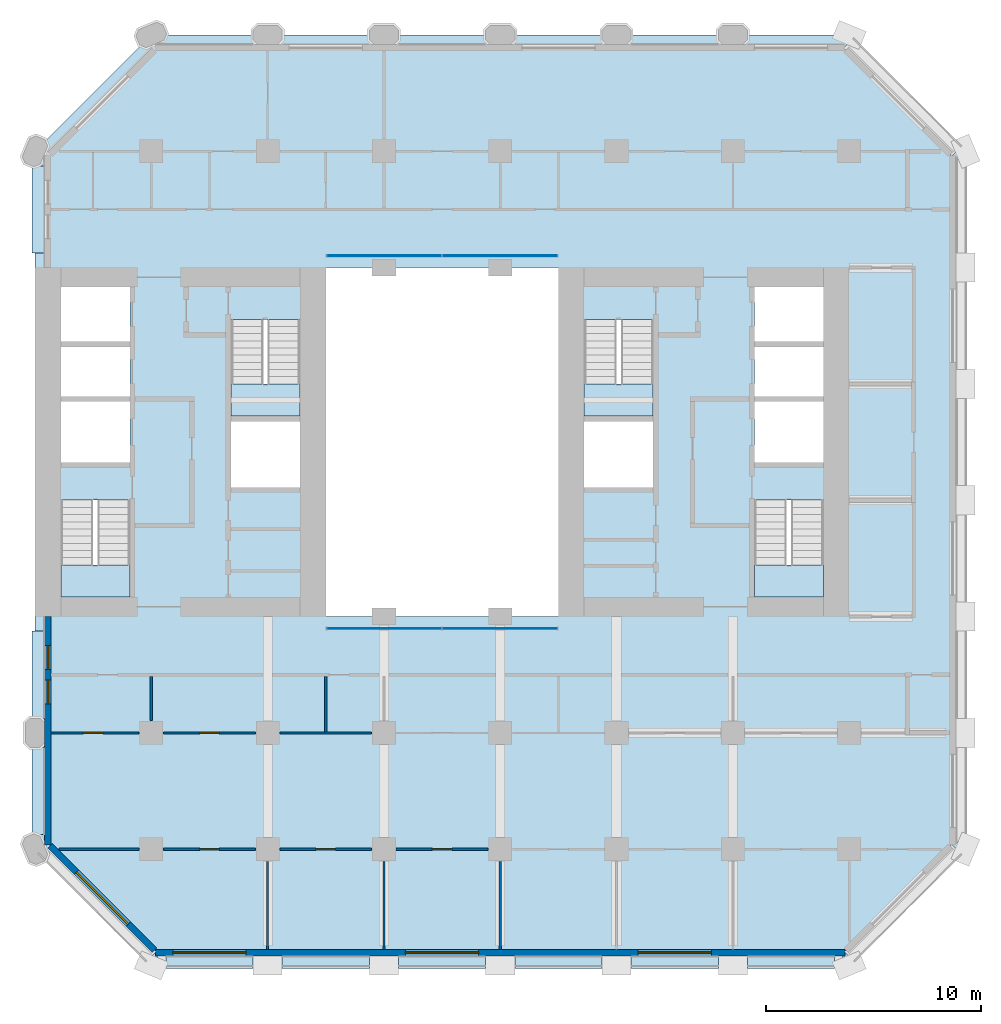
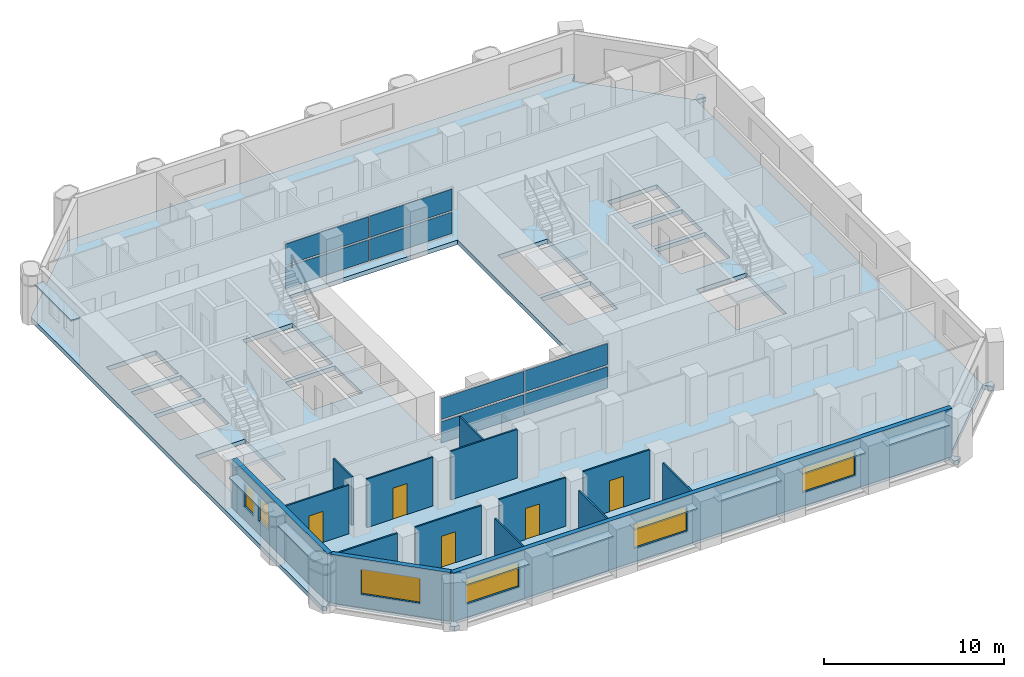
# One storey, part 7 of 13: 17 plates, 15 walls, 6 windows, 5 doors, 5 slabs, 11 openings, 6 elements without a shape of their own.
"""IFC4 building model written with IfcOpenShell, lengths in metres."""

import ifcopenshell
import ifcopenshell.guid

model = None  # the IFC model being written
_history = None  # IfcOwnerHistory: only IFC2X3 demands one
_inside = {}  # id of a spatial element -> (the spatial element, [elements in it])
_under = {}  # id of a project, library or spatial element -> (it, [spatial elements below it])
_declared = {}  # id of a project -> (the project, [libraries it declares])
_typed = {}  # id of a type object -> (the type object, [elements of that type])
_made_of = {}  # id of a material, layer set ... -> (it, [elements and type objects made of it])


def new_model(schema):
    """Start an empty IFC model of exactly this schema.

    Asked for "IFC4X3", IfcOpenShell would pick the latest addendum, in which some entities
    have other attributes; the version numbers below select the first issue.
    IFC2X3 requires an IfcOwnerHistory on every rooted entity: one is made here for all.
    """
    global model, _history
    if schema == "IFC4X3":
        model = ifcopenshell.file(schema_version=(4, 3, 0, 0))
    else:
        model = ifcopenshell.file(schema=schema)
    _inside.clear()
    _under.clear()
    _declared.clear()
    _typed.clear()
    _made_of.clear()
    _history = None
    if model.schema == "IFC2X3":
        org = make("IfcOrganization", Name="unknown")
        user = make(
            "IfcPersonAndOrganization",
            ThePerson=make("IfcPerson", FamilyName="unknown"),
            TheOrganization=org,
        )
        app = make(
            "IfcApplication",
            ApplicationDeveloper=org,
            Version="unknown",
            ApplicationFullName="unknown",
            ApplicationIdentifier="unknown",
        )
        _history = make(
            "IfcOwnerHistory",
            OwningUser=user,
            OwningApplication=app,
            ChangeAction="ADDED",
            CreationDate=0,
        )
    return model


def make(cls, **values):
    """One entity of the class cls with the attributes given. An attribute that is None is left unset."""
    return model.create_entity(
        cls, **{name: value for name, value in values.items() if value is not None}
    )


def rooted(cls, **values):
    """An entity with a GlobalId (a new one), such as an element, a storey or a relation."""
    return make(cls, GlobalId=ifcopenshell.guid.new(), OwnerHistory=_history, **values)


def si_unit(unit_type, name, prefix=None):
    """IfcSIUnit, for example si_unit("LENGTHUNIT", "METRE", prefix="MILLI")."""
    return make("IfcSIUnit", UnitType=unit_type, Prefix=prefix, Name=name)


def assignment(units):
    """IfcUnitAssignment: the units of a project."""
    return None if units is None else make("IfcUnitAssignment", Units=units)


def point(xyz):
    """IfcCartesianPoint."""
    return None if xyz is None else make("IfcCartesianPoint", Coordinates=xyz)


def direction(xyz):
    """IfcDirection."""
    return None if xyz is None else make("IfcDirection", DirectionRatios=xyz)


def frame(location, z_axis=None, x_axis=None):
    """IfcAxis2Placement3D, a coordinate frame: its origin and axes. An axis left out is left unset."""
    return make(
        "IfcAxis2Placement3D",
        Location=point(location),
        Axis=direction(z_axis),
        RefDirection=direction(x_axis),
    )


def frame_2d(location, x_axis=None):
    """IfcAxis2Placement2D, a coordinate frame in the plane: its origin and x axis."""
    return make(
        "IfcAxis2Placement2D", Location=point(location), RefDirection=direction(x_axis)
    )


def origin():
    """The frame at (0, 0, 0) with its axes left unset."""
    return frame((0.0, 0.0, 0.0))


def origin_2d():
    """The frame at (0, 0) in the plane with its x axis left unset."""
    return frame_2d((0.0, 0.0))


def place(relative_to, where):
    """IfcLocalPlacement: puts the frame where relative to a parent placement (None: the world)."""
    return make(
        "IfcLocalPlacement", PlacementRelTo=relative_to, RelativePlacement=where
    )


def context(
    kind, dimensions, precision=None, world=None, true_north=None, identifier=None
):
    """IfcGeometricRepresentationContext, for example the 3D "Model" context."""
    return make(
        "IfcGeometricRepresentationContext",
        ContextIdentifier=identifier,
        ContextType=kind,
        CoordinateSpaceDimension=dimensions,
        Precision=precision,
        WorldCoordinateSystem=world,
        TrueNorth=true_north,
    )


def subcontext(parent, identifier, kind, view, scale=None):
    """IfcGeometricRepresentationSubContext, for example "Body" below "Model"."""
    return make(
        "IfcGeometricRepresentationSubContext",
        ContextIdentifier=identifier,
        ContextType=kind,
        ParentContext=parent,
        TargetScale=scale,
        TargetView=view,
    )


def project(units=None, contexts=None):
    """IfcProject with its units and contexts."""
    return rooted(
        "IfcProject",
        Name="project",
        RepresentationContexts=contexts,
        UnitsInContext=assignment(units),
    )


def spatial(cls, under=None, at=None, **own):
    """A site, building, storey or space (cls), placed at a placement, below another one or the project."""
    s = rooted(cls, ObjectPlacement=at, **own)
    if under is not None:
        _under.setdefault(under.id(), (under, []))[1].append(s)
    return s


def polyline(points):
    """IfcPolyline through the points."""
    return make("IfcPolyline", Points=[point(p) for p in points])


def profile(cls, at=None, kind="AREA", **sizes):
    """A parametric profile (cls). Its sizes go by their IFC names, for example OverallWidth=200.0."""
    return make(cls, ProfileType=kind, Position=at, **sizes)


def rectangle(**sizes):
    """IfcRectangleProfileDef."""
    return profile("IfcRectangleProfileDef", **sizes)


def outline(outer, holes=None, kind="AREA"):
    """IfcArbitraryClosedProfileDef: a profile drawn as a closed curve; with holes, ...WithVoids."""
    if holes is None:
        return make("IfcArbitraryClosedProfileDef", ProfileType=kind, OuterCurve=outer)
    return make(
        "IfcArbitraryProfileDefWithVoids",
        ProfileType=kind,
        OuterCurve=outer,
        InnerCurves=holes,
    )


def extrude(swept, where, along, depth):
    """IfcExtrudedAreaSolid: the profile swept, set in the frame where, extruded along a direction by depth."""
    return make(
        "IfcExtrudedAreaSolid",
        SweptArea=swept,
        Position=where,
        ExtrudedDirection=direction(along),
        Depth=depth,
    )


def shape(context_of_items, identifier, shape_type, items):
    """IfcShapeRepresentation: the items that make up one representation, for example the "Body"."""
    return make(
        "IfcShapeRepresentation",
        ContextOfItems=context_of_items,
        RepresentationIdentifier=identifier,
        RepresentationType=shape_type,
        Items=items,
    )


def material(Name=None, Category=None):
    """IfcMaterial."""
    return make("IfcMaterial", Name=Name, Category=Category)


def layer(
    of_material, thickness, ventilated=None, Name=None, Category=None, Priority=None
):
    """IfcMaterialLayer: one layer of a wall or slab, of a material (None: an air gap)."""
    return make(
        "IfcMaterialLayer",
        Material=of_material,
        LayerThickness=thickness,
        IsVentilated=ventilated,
        Name=Name,
        Category=Category,
        Priority=Priority,
    )


def layer_set(layers, Name=None):
    """IfcMaterialLayerSet."""
    return make("IfcMaterialLayerSet", MaterialLayers=layers, LayerSetName=Name)


def made_of(thing, what):
    """Note that an element or type object is made of a material, layer set ...; save() writes the relation."""
    if what is not None:
        _made_of.setdefault(what.id(), (what, []))[1].append(thing)
    return thing


def type_object(cls, material=None, **own):
    """A type object (cls), such as IfcWallType, which elements share."""
    return made_of(rooted(cls, **own), material)


def element(
    cls,
    number,
    at=None,
    inside=None,
    cuts=None,
    type_object=None,
    material=None,
    context=None,
    identifier="Body",
    shape_type=None,
    held_by="IfcProductDefinitionShape",
    body=None,
    shapes=None,
    **own,
):
    """One element of the class cls, such as IfcWall. Its Tag is "e" and its number.

    at: its placement. inside: the storey or other place that contains it. cuts: it is an
    opening in that element (IfcRelVoidsElement). A single representation is given by context,
    identifier, shape_type and body (its items); several are given by shapes. held_by: the class
    of the entity that holds the representations. save() writes the other relations.
    """
    e = rooted(cls, Tag="e%d" % number, ObjectPlacement=at, **own)
    if body is not None:
        shapes = [shape(context, identifier, shape_type, body)]
    if shapes is not None:
        e.Representation = make(held_by, Representations=shapes)
    if inside is not None:
        _inside.setdefault(inside.id(), (inside, []))[1].append(e)
    if cuts is not None:
        rooted(
            "IfcRelVoidsElement", RelatingBuildingElement=cuts, RelatedOpeningElement=e
        )
    if type_object is not None:
        _typed.setdefault(type_object.id(), (type_object, []))[1].append(e)
    return made_of(e, material)


def fill(opening, filler):
    """IfcRelFillsElement: the door or window that sits in an opening."""
    return rooted(
        "IfcRelFillsElement",
        RelatingOpeningElement=opening,
        RelatedBuildingElement=filler,
    )


def aggregate(whole, parts):
    """IfcRelAggregates: a whole, such as a stair, and the parts it consists of."""
    return rooted("IfcRelAggregates", RelatingObject=whole, RelatedObjects=parts)


def save(model, path):
    """Write the relations noted so far, then the file.

    IfcRelAggregates (storeys below a building ...), IfcRelContainedInSpatialStructure (elements
    in a storey), IfcRelDefinesByType, IfcRelAssociatesMaterial and IfcRelDeclares: one each for
    every whole, place, type object, material and project.
    """
    for whole, parts in _under.values():
        aggregate(whole, parts)
    for where, things in _inside.values():
        rooted(
            "IfcRelContainedInSpatialStructure",
            RelatedElements=things,
            RelatingStructure=where,
        )
    for kind, things in _typed.values():
        rooted("IfcRelDefinesByType", RelatedObjects=things, RelatingType=kind)
    for what, things in _made_of.values():
        rooted("IfcRelAssociatesMaterial", RelatedObjects=things, RelatingMaterial=what)
    for by, libraries in _declared.values():
        rooted("IfcRelDeclares", RelatingContext=by, RelatedDefinitions=libraries)
    model.write(path)


model = new_model("IFC4")

# Units and contexts
model_context = context("Model", 3, precision=1e-05, world=origin(), true_north=direction((0.0, 1.0)))
body_context = subcontext(model_context, "Body", "Model", "MODEL_VIEW")
ifc_project = project(units=[si_unit("LENGTHUNIT", "METRE"), si_unit("AREAUNIT", "SQUARE_METRE"), si_unit("VOLUMEUNIT", "CUBIC_METRE"), si_unit("PLANEANGLEUNIT", "RADIAN"), si_unit("MASSUNIT", "GRAM", prefix="KILO")], contexts=[model_context])

# Site, building, storey
site_placement = place(None, origin())
site = spatial("IfcSite", under=ifc_project, at=site_placement, CompositionType="ELEMENT")
building_placement = place(site_placement, origin())
building = spatial("IfcBuilding", under=site, at=building_placement, Name="Tabaq Tower and Sports Hall", CompositionType="ELEMENT")
storey_placement = place(building_placement, frame((0.0, 0.0, 56.39990234375)))
storey = spatial("IfcBuildingStorey", under=building, at=storey_placement, Name="L12", CompositionType="ELEMENT", Elevation=56.39990234375)

# Curtain wall, plates
ifc_material_1 = material(Name="Aluminium alloy 6063-T6 framed glazing", Category="aluminium")
curtain_wall_type = type_object("IfcCurtainWallType", Name="CW1 curtain wall", PredefinedType="USERDEFINED", material=ifc_material_1)
curtain_wall_1_placement = place(storey_placement, origin())
curtain_wall_1 = element("IfcCurtainWall", 1, at=curtain_wall_1_placement, inside=storey, type_object=curtain_wall_type, Name="Atrium glazing L12 S", ObjectType="ATRIUM ENCLOSURE", PredefinedType="USERDEFINED")
ifc_material_2 = material(Name="Clear low-emissivity glass 28 mm", Category="glass")
ifc_layer_1 = layer(ifc_material_2, 0.028076171875)
ifc_layer_set_1 = layer_set([ifc_layer_1], Name="CW1 glass panel 28")
plate_type_1 = type_object("IfcPlateType", Name="CW1 glass panel 28", PredefinedType="CURTAIN_PANEL", material=ifc_layer_set_1)
plate_1_placement = place(storey_placement, frame((21.614990234375, 15.64990234375, 0.14013671875), z_axis=(0.0, 0.0, 1.0), x_axis=(1.0, 0.0, 0.0)))
plate_1 = element("IfcPlate", 2, at=plate_1_placement, type_object=plate_type_1, Name="CW1 panel 1.1", PredefinedType="CURTAIN_PANEL", context=body_context, shape_type="SweptSolid", body=[
    extrude(rectangle(XDim=5.31005859375, YDim=0.028076171875, at=origin_2d()), origin(), (0.0, 0.0, 1.0), 1.43994140625),
])
plate_2_placement = place(storey_placement, frame((21.614990234375, 15.64990234375, 1.72021484375), z_axis=(0.0, 0.0, 1.0), x_axis=(1.0, 0.0, 0.0)))
plate_2 = element("IfcPlate", 3, at=plate_2_placement, type_object=plate_type_1, Name="CW1 panel 1.2", PredefinedType="CURTAIN_PANEL", context=body_context, shape_type="SweptSolid", body=[
    extrude(rectangle(XDim=5.31005859375, YDim=0.028076171875, at=origin_2d()), origin(), (0.0, 0.0, 1.0), 1.43994140625),
])
plate_3_placement = place(storey_placement, frame((26.985107421875, 15.64990234375, 0.14013671875), z_axis=(0.0, 0.0, 1.0), x_axis=(1.0, 0.0, 0.0)))
plate_3 = element("IfcPlate", 4, at=plate_3_placement, type_object=plate_type_1, Name="CW1 panel 2.1", PredefinedType="CURTAIN_PANEL", context=body_context, shape_type="SweptSolid", body=[
    extrude(rectangle(XDim=5.31005859375, YDim=0.028076171875, at=origin_2d()), origin(), (0.0, 0.0, 1.0), 1.43994140625),
])
plate_4_placement = place(storey_placement, frame((26.985107421875, 15.64990234375, 1.72021484375), z_axis=(0.0, 0.0, 1.0), x_axis=(1.0, 0.0, 0.0)))
plate_4 = element("IfcPlate", 5, at=plate_4_placement, type_object=plate_type_1, Name="CW1 panel 2.2", PredefinedType="CURTAIN_PANEL", context=body_context, shape_type="SweptSolid", body=[
    extrude(rectangle(XDim=5.31005859375, YDim=0.028076171875, at=origin_2d()), origin(), (0.0, 0.0, 1.0), 1.43994140625),
])
aggregate(curtain_wall_1, [plate_1, plate_2, plate_3, plate_4])

curtain_wall_2_placement = place(storey_placement, origin())
curtain_wall_2 = element("IfcCurtainWall", 6, at=curtain_wall_2_placement, inside=storey, type_object=curtain_wall_type, Name="Atrium glazing L12 N", ObjectType="ATRIUM ENCLOSURE", PredefinedType="USERDEFINED")
plate_5_placement = place(storey_placement, frame((21.614990234375, 32.949951171875, 0.14013671875), z_axis=(0.0, 0.0, 1.0), x_axis=(1.0, 0.0, 0.0)))
plate_5 = element("IfcPlate", 7, at=plate_5_placement, type_object=plate_type_1, Name="CW1 panel 1.1", PredefinedType="CURTAIN_PANEL", context=body_context, shape_type="SweptSolid", body=[
    extrude(rectangle(XDim=5.31005859375, YDim=0.028076171875, at=origin_2d()), origin(), (0.0, 0.0, 1.0), 1.43994140625),
])
plate_6_placement = place(storey_placement, frame((21.614990234375, 32.949951171875, 1.72021484375), z_axis=(0.0, 0.0, 1.0), x_axis=(1.0, 0.0, 0.0)))
plate_6 = element("IfcPlate", 8, at=plate_6_placement, type_object=plate_type_1, Name="CW1 panel 1.2", PredefinedType="CURTAIN_PANEL", context=body_context, shape_type="SweptSolid", body=[
    extrude(rectangle(XDim=5.31005859375, YDim=0.028076171875, at=origin_2d()), origin(), (0.0, 0.0, 1.0), 1.43994140625),
])
plate_7_placement = place(storey_placement, frame((26.985107421875, 32.949951171875, 0.14013671875), z_axis=(0.0, 0.0, 1.0), x_axis=(1.0, 0.0, 0.0)))
plate_7 = element("IfcPlate", 9, at=plate_7_placement, type_object=plate_type_1, Name="CW1 panel 2.1", PredefinedType="CURTAIN_PANEL", context=body_context, shape_type="SweptSolid", body=[
    extrude(rectangle(XDim=5.31005859375, YDim=0.028076171875, at=origin_2d()), origin(), (0.0, 0.0, 1.0), 1.43994140625),
])
plate_8_placement = place(storey_placement, frame((26.985107421875, 32.949951171875, 1.72021484375), z_axis=(0.0, 0.0, 1.0), x_axis=(1.0, 0.0, 0.0)))
plate_8 = element("IfcPlate", 10, at=plate_8_placement, type_object=plate_type_1, Name="CW1 panel 2.2", PredefinedType="CURTAIN_PANEL", context=body_context, shape_type="SweptSolid", body=[
    extrude(rectangle(XDim=5.31005859375, YDim=0.028076171875, at=origin_2d()), origin(), (0.0, 0.0, 1.0), 1.43994140625),
])
aggregate(curtain_wall_2, [plate_5, plate_6, plate_7, plate_8])

# Stair, slab
ifc_material_3 = material(Name="Concrete C40/50", Category="concrete")
stair_type = type_object("IfcStairType", Name="Exit stair", PredefinedType="HALF_TURN_STAIR", material=ifc_material_3)
stair_1_placement = place(storey_placement, origin())
stair_1 = element("IfcStair", 11, at=stair_1_placement, inside=storey, type_object=stair_type, Name="L12 Exit stair ST1", PredefinedType="HALF_TURN_STAIR")
ifc_material_4 = material(Name="Concrete C40/50", Category="concrete")
ifc_layer_2 = layer(ifc_material_4, 0.199951171875)
ifc_layer_set_2 = layer_set([ifc_layer_2], Name="Exit stair landing")
slab_type_1 = type_object("IfcSlabType", Name="Exit stair landing", PredefinedType="LANDING", material=ifc_layer_set_2)
slab_1_placement = place(storey_placement, frame((0.0, 0.0, 1.7001953125)))
slab_1 = element("IfcSlab", 12, at=slab_1_placement, type_object=slab_type_1, Name="ST1 landing 1", PredefinedType="LANDING", context=body_context, shape_type="SweptSolid", body=[
    extrude(outline(polyline([(6.60009765625, 18.60009765625), (6.60009765625, 17.10009765625), (9.800048828125, 17.10009765625), (9.800048828125, 18.60009765625), (6.60009765625, 18.60009765625)])), origin(), (0.0, 0.0, 1.0), 0.199951171875),
])
aggregate(stair_1, [slab_1])

stair_2_placement = place(storey_placement, origin())
stair_2 = element("IfcStair", 13, at=stair_2_placement, inside=storey, type_object=stair_type, Name="L12 Exit stair ST2", PredefinedType="HALF_TURN_STAIR")
slab_2_placement = place(storey_placement, frame((0.0, 0.0, 1.7001953125)))
slab_2 = element("IfcSlab", 14, at=slab_2_placement, type_object=slab_type_1, Name="ST2 landing 1", PredefinedType="LANDING", context=body_context, shape_type="SweptSolid", body=[
    extrude(outline(polyline([(14.5, 27.0), (14.5, 25.5), (17.699951171875, 25.5), (17.699951171875, 27.0), (14.5, 27.0)])), origin(), (0.0, 0.0, 1.0), 0.199951171875),
])
aggregate(stair_2, [slab_2])

stair_3_placement = place(storey_placement, origin())
stair_3 = element("IfcStair", 15, at=stair_3_placement, inside=storey, type_object=stair_type, Name="L12 Exit stair ST3", PredefinedType="HALF_TURN_STAIR")
slab_3_placement = place(storey_placement, frame((0.0, 0.0, 1.7001953125)))
slab_3 = element("IfcSlab", 16, at=slab_3_placement, type_object=slab_type_1, Name="ST3 landing 1", PredefinedType="LANDING", context=body_context, shape_type="SweptSolid", body=[
    extrude(outline(polyline([(38.800048828125, 18.60009765625), (38.800048828125, 17.10009765625), (42.0, 17.10009765625), (42.0, 18.60009765625), (38.800048828125, 18.60009765625)])), origin(), (0.0, 0.0, 1.0), 0.199951171875),
])
aggregate(stair_3, [slab_3])

stair_4_placement = place(storey_placement, origin())
stair_4 = element("IfcStair", 17, at=stair_4_placement, inside=storey, type_object=stair_type, Name="L12 Exit stair ST4", PredefinedType="HALF_TURN_STAIR")
slab_4_placement = place(storey_placement, frame((0.0, 0.0, 1.7001953125)))
slab_4 = element("IfcSlab", 18, at=slab_4_placement, type_object=slab_type_1, Name="ST4 landing 1", PredefinedType="LANDING", context=body_context, shape_type="SweptSolid", body=[
    extrude(outline(polyline([(30.89990234375, 27.0), (30.89990234375, 25.5), (34.10009765625, 25.5), (34.10009765625, 27.0), (30.89990234375, 27.0)])), origin(), (0.0, 0.0, 1.0), 0.199951171875),
])
aggregate(stair_4, [slab_4])

# Slab
ifc_material_5 = material(Name="Concrete C40/50", Category="concrete")
ifc_layer_3 = layer(ifc_material_5, 0.300048828125)
ifc_layer_set_3 = layer_set([ifc_layer_3], Name="PT FLOOR SLAB 300 C40/50")
slab_type_2 = type_object("IfcSlabType", Name="PT FLOOR SLAB 300 C40/50", PredefinedType="FLOOR", material=ifc_layer_set_3)
slab_5_placement = place(storey_placement, frame((0.0, 0.0, -0.2998046875)))
element("IfcSlab", 19, at=slab_5_placement, inside=storey, type_object=slab_type_2, Name="Floor Slab L12", PredefinedType="FLOOR", context=body_context, shape_type="SweptSolid", body=[
    extrude(outline(polyline([(5.39990234375, 37.800048828125), (5.39990234375, 5.39990234375), (5.57666015625, 5.22314453125), (5.930419921875, 5.57666015625), (6.0009765625, 5.6474609375), (11.01318359375, 0.63525390625), (10.5888671875, 0.211181640625), (10.800048828125, 0.0), (11.0986328125, 0.0), (11.0986328125, 0.5), (11.0986328125, 0.60009765625), (42.9013671875, 0.60009765625), (42.9013671875, 0.5), (42.9013671875, 0.0), (43.199951171875, 0.0), (43.4111328125, 0.211181640625), (42.98681640625, 0.63525390625), (47.964599609375, 5.61328125), (48.035400390625, 5.54248046875), (48.388916015625, 5.18896484375), (48.60009765625, 5.39990234375), (48.60009765625, 5.698486328125), (48.10009765625, 5.698486328125), (48.0, 5.698486328125), (48.0, 37.50146484375), (48.10009765625, 37.50146484375), (48.60009765625, 37.50146484375), (48.60009765625, 37.800048828125), (48.388916015625, 38.010986328125), (48.035400390625, 37.657470703125), (47.964599609375, 37.5869140625), (42.952392578125, 42.598876953125), (43.023193359375, 42.669677734375), (43.376708984375, 43.023193359375), (43.199951171875, 43.199951171875), (10.800048828125, 43.199951171875), (5.39990234375, 37.800048828125)]), holes=[polyline([(6.60009765625, 21.599365234375), (9.800048828125, 21.599365234375), (9.800048828125, 17.10009765625), (6.60009765625, 17.10009765625), (6.60009765625, 21.599365234375)]), polyline([(17.699951171875, 25.25), (17.699951171875, 22.199951171875), (14.5, 22.199951171875), (14.5, 25.25), (17.699951171875, 25.25)]), polyline([(18.89990234375, 32.39990234375), (29.699951171875, 32.39990234375), (29.699951171875, 16.199951171875), (18.89990234375, 16.199951171875), (18.89990234375, 32.39990234375)]), polyline([(6.60009765625, 26.175048828125), (9.800048828125, 26.175048828125), (9.800048828125, 23.35009765625), (6.60009765625, 23.35009765625), (6.60009765625, 26.175048828125)]), polyline([(9.800048828125, 28.72509765625), (9.800048828125, 26.425048828125), (6.60009765625, 26.425048828125), (6.60009765625, 28.72509765625), (9.800048828125, 28.72509765625)]), polyline([(17.699951171875, 29.99951171875), (17.699951171875, 25.5), (14.5, 25.5), (14.5, 29.99951171875), (17.699951171875, 29.99951171875)]), polyline([(6.60009765625, 31.5), (9.800048828125, 31.5), (9.800048828125, 28.97509765625), (6.60009765625, 28.97509765625), (6.60009765625, 31.5)]), polyline([(42.0, 21.599365234375), (42.0, 17.10009765625), (38.800048828125, 17.10009765625), (38.800048828125, 21.599365234375), (42.0, 21.599365234375)]), polyline([(34.10009765625, 25.25), (34.10009765625, 22.199951171875), (30.89990234375, 22.199951171875), (30.89990234375, 25.25), (34.10009765625, 25.25)]), polyline([(42.0, 26.175048828125), (42.0, 23.35009765625), (38.800048828125, 23.35009765625), (38.800048828125, 26.175048828125), (42.0, 26.175048828125)]), polyline([(42.0, 28.72509765625), (42.0, 26.425048828125), (38.800048828125, 26.425048828125), (38.800048828125, 28.72509765625), (42.0, 28.72509765625)]), polyline([(34.10009765625, 29.99951171875), (34.10009765625, 25.5), (30.89990234375, 25.5), (30.89990234375, 29.99951171875), (34.10009765625, 29.99951171875)]), polyline([(42.0, 31.5), (42.0, 28.97509765625), (38.800048828125, 28.97509765625), (38.800048828125, 31.5), (42.0, 31.5)])]), origin(), (0.0, 0.0, 1.0), 0.2998046875),
])

# Plates
ifc_material_6 = material(Name="White precast concrete C60/75 blade", Category="concrete")
ifc_layer_4 = layer(ifc_material_6, 0.10009765625)
ifc_layer_set_4 = layer_set([ifc_layer_4], Name="White precast concrete C60/75 sunshade 100")
plate_type_2 = type_object("IfcPlateType", Name="White precast concrete C60/75 sunshade 100", PredefinedType="USERDEFINED", material=ifc_layer_set_4)
for number, where, z_axis, x_axis, name in (
    (20, (13.5, 0.14990234375, 2.60009765625), (0.0, 0.0, 1.0), (1.0, 0.0, 0.0), "Sunshade L12 S"),
    (21, (18.89990234375, 0.14990234375, 2.60009765625), (0.0, 0.0, 1.0), (1.0, 0.0, 0.0), "Sunshade L12 S"),
    (22, (24.300048828125, 0.14990234375, 2.60009765625), (0.0, 0.0, 1.0), (1.0, 0.0, 0.0), "Sunshade L12 S"),
    (23, (29.699951171875, 0.14990234375, 2.60009765625), (0.0, 0.0, 1.0), (1.0, 0.0, 0.0), "Sunshade L12 S"),
    (24, (35.10009765625, 0.14990234375, 2.60009765625), (0.0, 0.0, 1.0), (1.0, 0.0, 0.0), "Sunshade L12 S"),
    (25, (40.5, 0.14990234375, 2.60009765625), (0.0, 0.0, 1.0), (1.0, 0.0, 0.0), "Sunshade L12 S"),
    (26, (5.550048828125, 35.10009765625, 2.60009765625), (0.0, 0.0, 1.0), (0.0, -1.0, 0.0), "Sunshade L12 W"),
    (27, (5.550048828125, 13.5, 2.60009765625), (0.0, 0.0, 1.0), (0.0, -1.0, 0.0), "Sunshade L12 W"),
    (28, (5.550048828125, 8.10009765625, 2.60009765625), (0.0, 0.0, 1.0), (0.0, -1.0, 0.0), "Sunshade L12 W"),
):
    element("IfcPlate", number, at=place(storey_placement, frame(where, z_axis=z_axis, x_axis=x_axis)), inside=storey, type_object=plate_type_2, Name=name, ObjectType="SUNSHADE", PredefinedType="USERDEFINED", context=body_context, shape_type="SweptSolid", body=[
        extrude(rectangle(XDim=4.050048828125, YDim=0.60009765625, at=origin_2d()), origin(), (0.0, 0.0, 1.0), 0.10009765625),
    ])

# Wall, opening, door
ifc_material_7 = material(Name="Gypsum board on steel studs", Category="steel")
ifc_layer_5 = layer(ifc_material_7, 0.10009765625)
ifc_layer_set_5 = layer_set([ifc_layer_5], Name="Partition 100 Gypsum board")
wall_type_1 = type_object("IfcWallType", Name="Partition 100 Gypsum board", PredefinedType="PARTITIONING", material=ifc_layer_set_5)
wall_1_placement = place(storey_placement, frame((6.15087890625, 10.800048828125, 0.0), z_axis=(0.0, 0.0, 1.0), x_axis=(1.0, 0.0, 0.0)))
wall_1 = element("IfcWall", 29, at=wall_1_placement, inside=storey, type_object=wall_type_1, Name="Partition wall L12", PredefinedType="PARTITIONING", context=body_context, shape_type="SweptSolid", body=[
    extrude(rectangle(XDim=4.0791015625, YDim=0.10009765625, at=frame_2d((2.03955078125, 0.0))), origin(), (0.0, 0.0, 1.0), 3.300048828125),
])
opening_1_placement = place(wall_1_placement, frame((1.4990234375, 0.0, 0.0)))
opening_1 = element("IfcOpeningElement", 30, at=opening_1_placement, cuts=wall_1, Name="Opening L12-030", PredefinedType="OPENING", context=body_context, shape_type="SweptSolid", body=[
    extrude(rectangle(XDim=0.89990234375, YDim=2.10009765625, at=frame_2d((0.449951171875, 1.050048828125))), frame((0.0, 0.050048828125, 0.0), z_axis=(0.0, -1.0, 0.0), x_axis=(1.0, 0.0, 0.0)), (0.0, 0.0, 1.0), 0.10009765625),
])
ifc_material_8 = material(Name="Timber leaf in steel frame", Category="steel")
door_type_1 = type_object("IfcDoorType", Name="Internal door 900 left hand", OperationType="SINGLE_SWING_LEFT", PredefinedType="DOOR", material=ifc_material_8)
door_1_placement = place(opening_1_placement, origin())
door_1 = element("IfcDoor", 31, at=door_1_placement, inside=storey, type_object=door_type_1, Name="Internal door L12-030", OperationType="SINGLE_SWING_LEFT", OverallHeight=2.10009765625, OverallWidth=0.89990234375, PredefinedType="DOOR", context=body_context, shape_type="SweptSolid", body=[
    extrude(rectangle(XDim=0.89990234375, YDim=2.10009765625, at=frame_2d((0.449951171875, 1.050048828125))), frame((0.0, 0.02490234375, 0.0), z_axis=(0.0, -1.0, 0.0), x_axis=(1.0, 0.0, 0.0)), (0.0, 0.0, 1.0), 0.050048828125),
])
fill(opening_1, door_1)

# Wall
wall_2_placement = place(storey_placement, frame((10.800048828125, 11.3701171875, 0.0), z_axis=(0.0, 0.0, 1.0), x_axis=(0.0, 1.0, 0.0)))
element("IfcWall", 32, at=wall_2_placement, inside=storey, type_object=wall_type_1, Name="Partition wall L12", PredefinedType="PARTITIONING", context=body_context, shape_type="SweptSolid", body=[
    extrude(rectangle(XDim=2.054931640625, YDim=0.10009765625, at=frame_2d((1.02734375, 0.0))), origin(), (0.0, 0.0, 1.0), 3.300048828125),
])

# Wall, opening, door
wall_3_placement = place(storey_placement, frame((11.3701171875, 10.800048828125, 0.0), z_axis=(0.0, 0.0, 1.0), x_axis=(1.0, 0.0, 0.0)))
wall_3 = element("IfcWall", 33, at=wall_3_placement, inside=storey, type_object=wall_type_1, Name="Partition wall L12", PredefinedType="PARTITIONING", context=body_context, shape_type="SweptSolid", body=[
    extrude(rectangle(XDim=4.259765625, YDim=0.10009765625, at=frame_2d((2.1298828125, 0.0))), origin(), (0.0, 0.0, 1.0), 3.300048828125),
])
opening_2_placement = place(wall_3_placement, frame((1.679931640625, 0.0, 0.0)))
opening_2 = element("IfcOpeningElement", 34, at=opening_2_placement, cuts=wall_3, Name="Opening L12-015", PredefinedType="OPENING", context=body_context, shape_type="SweptSolid", body=[
    extrude(rectangle(XDim=0.89990234375, YDim=2.10009765625, at=frame_2d((0.449951171875, 1.050048828125))), frame((0.0, 0.050048828125, 0.0), z_axis=(0.0, -1.0, 0.0), x_axis=(1.0, 0.0, 0.0)), (0.0, 0.0, 1.0), 0.10009765625),
])
ifc_material_9 = material(Name="Timber leaf in steel frame", Category="steel")
door_type_2 = type_object("IfcDoorType", Name="Internal door 900 right hand", OperationType="SINGLE_SWING_RIGHT", PredefinedType="DOOR", material=ifc_material_9)
door_2_placement = place(opening_2_placement, origin())
door_2 = element("IfcDoor", 35, at=door_2_placement, inside=storey, type_object=door_type_2, Name="Internal door L12-015", OperationType="SINGLE_SWING_RIGHT", OverallHeight=2.10009765625, OverallWidth=0.89990234375, PredefinedType="DOOR", context=body_context, shape_type="SweptSolid", body=[
    extrude(rectangle(XDim=0.89990234375, YDim=2.10009765625, at=frame_2d((0.449951171875, 1.050048828125))), frame((0.0, 0.02490234375, 0.0), z_axis=(0.0, -1.0, 0.0), x_axis=(1.0, 0.0, 0.0)), (0.0, 0.0, 1.0), 0.050048828125),
])
fill(opening_2, door_2)

# Walls
wall_4_placement = place(storey_placement, frame((18.89990234375, 10.85009765625, 0.0), z_axis=(0.0, 0.0, 1.0), x_axis=(0.0, 1.0, 0.0)))
element("IfcWall", 36, at=wall_4_placement, inside=storey, type_object=wall_type_1, Name="Partition wall L12", PredefinedType="PARTITIONING", context=body_context, shape_type="SweptSolid", body=[
    extrude(rectangle(XDim=2.574951171875, YDim=0.10009765625, at=frame_2d((1.28759765625, 0.0))), origin(), (0.0, 0.0, 1.0), 3.300048828125),
])
wall_5_placement = place(storey_placement, frame((16.77001953125, 10.800048828125, 0.0), z_axis=(0.0, 0.0, 1.0), x_axis=(1.0, 0.0, 0.0)))
element("IfcWall", 37, at=wall_5_placement, inside=storey, type_object=wall_type_1, Name="Partition wall L12", PredefinedType="PARTITIONING", context=body_context, shape_type="SweptSolid", body=[
    extrude(rectangle(XDim=4.260009765625, YDim=0.10009765625, at=frame_2d((2.1298828125, 0.0))), origin(), (0.0, 0.0, 1.0), 3.300048828125),
])
wall_6_placement = place(storey_placement, frame((6.51220703125, 5.39990234375, 0.0), z_axis=(0.0, 0.0, 1.0), x_axis=(1.0, 0.0, 0.0)))
element("IfcWall", 38, at=wall_6_placement, inside=storey, type_object=wall_type_1, Name="Partition wall L12", PredefinedType="PARTITIONING", context=body_context, shape_type="SweptSolid", body=[
    extrude(rectangle(XDim=3.7177734375, YDim=0.10009765625, at=frame_2d((1.85888671875, 0.0))), origin(), (0.0, 0.0, 1.0), 3.300048828125),
])

# Wall, opening, door
wall_7_placement = place(storey_placement, frame((11.3701171875, 5.39990234375, 0.0), z_axis=(0.0, 0.0, 1.0), x_axis=(1.0, 0.0, 0.0)))
wall_7 = element("IfcWall", 39, at=wall_7_placement, inside=storey, type_object=wall_type_1, Name="Partition wall L12", PredefinedType="PARTITIONING", context=body_context, shape_type="SweptSolid", body=[
    extrude(rectangle(XDim=4.259765625, YDim=0.10009765625, at=frame_2d((2.1298828125, 0.0))), origin(), (0.0, 0.0, 1.0), 3.300048828125),
])
opening_3_placement = place(wall_7_placement, frame((1.679931640625, 0.0, 0.0)))
opening_3 = element("IfcOpeningElement", 40, at=opening_3_placement, cuts=wall_7, Name="Opening L12-019", PredefinedType="OPENING", context=body_context, shape_type="SweptSolid", body=[
    extrude(rectangle(XDim=0.89990234375, YDim=2.10009765625, at=frame_2d((0.449951171875, 1.050048828125))), frame((0.0, 0.050048828125, 0.0), z_axis=(0.0, -1.0, 0.0), x_axis=(1.0, 0.0, 0.0)), (0.0, 0.0, 1.0), 0.10009765625),
])
door_3_placement = place(opening_3_placement, origin())
door_3 = element("IfcDoor", 41, at=door_3_placement, inside=storey, type_object=door_type_2, Name="Internal door L12-019", OperationType="SINGLE_SWING_RIGHT", OverallHeight=2.10009765625, OverallWidth=0.89990234375, PredefinedType="DOOR", context=body_context, shape_type="SweptSolid", body=[
    extrude(rectangle(XDim=0.89990234375, YDim=2.10009765625, at=frame_2d((0.449951171875, 1.050048828125))), frame((0.0, 0.02490234375, 0.0), z_axis=(0.0, -1.0, 0.0), x_axis=(1.0, 0.0, 0.0)), (0.0, 0.0, 1.0), 0.050048828125),
])
fill(opening_3, door_3)

wall_8_placement = place(storey_placement, frame((16.77001953125, 5.39990234375, 0.0), z_axis=(0.0, 0.0, 1.0), x_axis=(1.0, 0.0, 0.0)))
wall_8 = element("IfcWall", 42, at=wall_8_placement, inside=storey, type_object=wall_type_1, Name="Partition wall L12", PredefinedType="PARTITIONING", context=body_context, shape_type="SweptSolid", body=[
    extrude(rectangle(XDim=4.260009765625, YDim=0.10009765625, at=frame_2d((2.1298828125, 0.0))), origin(), (0.0, 0.0, 1.0), 3.300048828125),
])
opening_4_placement = place(wall_8_placement, frame((1.679931640625, 0.0, 0.0)))
opening_4 = element("IfcOpeningElement", 43, at=opening_4_placement, cuts=wall_8, Name="Opening L12-020", PredefinedType="OPENING", context=body_context, shape_type="SweptSolid", body=[
    extrude(rectangle(XDim=0.89990234375, YDim=2.10009765625, at=frame_2d((0.449951171875, 1.050048828125))), frame((0.0, 0.050048828125, 0.0), z_axis=(0.0, -1.0, 0.0), x_axis=(1.0, 0.0, 0.0)), (0.0, 0.0, 1.0), 0.10009765625),
])
door_4_placement = place(opening_4_placement, origin())
door_4 = element("IfcDoor", 44, at=door_4_placement, inside=storey, type_object=door_type_2, Name="Internal door L12-020", OperationType="SINGLE_SWING_RIGHT", OverallHeight=2.10009765625, OverallWidth=0.89990234375, PredefinedType="DOOR", context=body_context, shape_type="SweptSolid", body=[
    extrude(rectangle(XDim=0.89990234375, YDim=2.10009765625, at=frame_2d((0.449951171875, 1.050048828125))), frame((0.0, 0.02490234375, 0.0), z_axis=(0.0, -1.0, 0.0), x_axis=(1.0, 0.0, 0.0)), (0.0, 0.0, 1.0), 0.050048828125),
])
fill(opening_4, door_4)

wall_9_placement = place(storey_placement, frame((22.169921875, 5.39990234375, 0.0), z_axis=(0.0, 0.0, 1.0), x_axis=(1.0, 0.0, 0.0)))
wall_9 = element("IfcWall", 45, at=wall_9_placement, inside=storey, type_object=wall_type_1, Name="Partition wall L12", PredefinedType="PARTITIONING", context=body_context, shape_type="SweptSolid", body=[
    extrude(rectangle(XDim=4.260009765625, YDim=0.10009765625, at=frame_2d((2.1298828125, 0.0))), origin(), (0.0, 0.0, 1.0), 3.300048828125),
])
opening_5_placement = place(wall_9_placement, frame((1.679931640625, 0.0, 0.0)))
opening_5 = element("IfcOpeningElement", 46, at=opening_5_placement, cuts=wall_9, Name="Opening L12-021", PredefinedType="OPENING", context=body_context, shape_type="SweptSolid", body=[
    extrude(rectangle(XDim=0.89990234375, YDim=2.10009765625, at=frame_2d((0.449951171875, 1.050048828125))), frame((0.0, 0.050048828125, 0.0), z_axis=(0.0, -1.0, 0.0), x_axis=(1.0, 0.0, 0.0)), (0.0, 0.0, 1.0), 0.10009765625),
])
door_5_placement = place(opening_5_placement, origin())
door_5 = element("IfcDoor", 47, at=door_5_placement, inside=storey, type_object=door_type_2, Name="Internal door L12-021", OperationType="SINGLE_SWING_RIGHT", OverallHeight=2.10009765625, OverallWidth=0.89990234375, PredefinedType="DOOR", context=body_context, shape_type="SweptSolid", body=[
    extrude(rectangle(XDim=0.89990234375, YDim=2.10009765625, at=frame_2d((0.449951171875, 1.050048828125))), frame((0.0, 0.02490234375, 0.0), z_axis=(0.0, -1.0, 0.0), x_axis=(1.0, 0.0, 0.0)), (0.0, 0.0, 1.0), 0.050048828125),
])
fill(opening_5, door_5)

# Walls
for number, where, z_axis, x_axis, name in (
    (48, (16.199951171875, 0.7509765625, 0.0), (0.0, 0.0, 1.0), (0.0, 1.0, 0.0), "Partition wall L12"),
    (49, (21.60009765625, 0.7509765625, 0.0), (0.0, 0.0, 1.0), (0.0, 1.0, 0.0), "Partition wall L12"),
    (50, (27.0, 0.7509765625, 0.0), (0.0, 0.0, 1.0), (0.0, 1.0, 0.0), "Partition wall L12"),
):
    element("IfcWall", number, at=place(storey_placement, frame(where, z_axis=z_axis, x_axis=x_axis)), inside=storey, type_object=wall_type_1, Name=name, PredefinedType="PARTITIONING", context=body_context, shape_type="SweptSolid", body=[
        extrude(rectangle(XDim=4.0791015625, YDim=0.10009765625, at=frame_2d((2.03955078125, 0.0))), origin(), (0.0, 0.0, 1.0), 2.550048828125),
    ])

# Wall, openings, windows
ifc_material_10 = material(Name="White precast concrete C60/75", Category="concrete")
ifc_layer_6 = layer(ifc_material_10, 0.300048828125)
ifc_layer_set_6 = layer_set([ifc_layer_6], Name="White precast concrete C60/75 external wall 300")
wall_type_2 = type_object("IfcWallType", Name="White precast concrete C60/75 external wall 300", PredefinedType="SOLIDWALL", material=ifc_layer_set_6)
wall_10_placement = place(storey_placement, frame((10.986328125, 0.60009765625, 0.0), z_axis=(0.0, 0.0, 1.0), x_axis=(1.0, 0.0, 0.0)))
wall_10 = element("IfcWall", 51, at=wall_10_placement, inside=storey, type_object=wall_type_2, Name="External Wall L12 S", PredefinedType="SOLIDWALL", context=body_context, shape_type="SweptSolid", body=[
    extrude(rectangle(XDim=32.02734375, YDim=0.300048828125, at=frame_2d((16.013671875, 0.0))), origin(), (0.0, 0.0, 1.0), 3.300048828125),
])
opening_6_placement = place(wall_10_placement, frame((0.813720703125, 0.0, 0.89990234375)))
opening_6 = element("IfcOpeningElement", 52, at=opening_6_placement, cuts=wall_10, Name="Opening W1A", PredefinedType="OPENING", context=body_context, shape_type="SweptSolid", body=[
    extrude(rectangle(XDim=3.39990234375, YDim=1.699951171875, at=frame_2d((1.699951171875, 0.85009765625))), frame((0.0, 0.16015625, 0.0), z_axis=(0.0, -1.0, 0.0), x_axis=(1.0, 0.0, 0.0)), (0.0, 0.0, 1.0), 0.320068359375),
])
opening_7_placement = place(wall_10_placement, frame((11.613525390625, 0.0, 0.89990234375)))
opening_7 = element("IfcOpeningElement", 53, at=opening_7_placement, cuts=wall_10, Name="Opening W1A", PredefinedType="OPENING", context=body_context, shape_type="SweptSolid", body=[
    extrude(rectangle(XDim=3.39990234375, YDim=1.699951171875, at=frame_2d((1.699951171875, 0.85009765625))), frame((0.0, 0.16015625, 0.0), z_axis=(0.0, -1.0, 0.0), x_axis=(1.0, 0.0, 0.0)), (0.0, 0.0, 1.0), 0.320068359375),
])
opening_8_placement = place(wall_10_placement, frame((22.41357421875, 0.0, 0.89990234375)))
opening_8 = element("IfcOpeningElement", 54, at=opening_8_placement, cuts=wall_10, Name="Opening W1A", PredefinedType="OPENING", context=body_context, shape_type="SweptSolid", body=[
    extrude(rectangle(XDim=3.39990234375, YDim=1.699951171875, at=frame_2d((1.699951171875, 0.85009765625))), frame((0.0, 0.16015625, 0.0), z_axis=(0.0, -1.0, 0.0), x_axis=(1.0, 0.0, 0.0)), (0.0, 0.0, 1.0), 0.320068359375),
])
ifc_material_11 = material(Name="Aluminium framed clear glazing", Category="aluminium")
window_type_1 = type_object("IfcWindowType", Name="Window W1A", PartitioningType="SINGLE_PANEL", PredefinedType="WINDOW", material=ifc_material_11)
window_1_placement = place(opening_6_placement, origin())
window_1 = element("IfcWindow", 55, at=window_1_placement, inside=storey, type_object=window_type_1, Name="Window W1A L12", OverallHeight=1.699951171875, OverallWidth=3.39990234375, PartitioningType="SINGLE_PANEL", PredefinedType="WINDOW", context=body_context, shape_type="SweptSolid", body=[
    extrude(rectangle(XDim=3.39990234375, YDim=1.699951171875, at=frame_2d((1.699951171875, 0.85009765625))), frame((0.0, 0.030029296875, 0.0), z_axis=(0.0, -1.0, 0.0), x_axis=(1.0, 0.0, 0.0)), (0.0, 0.0, 1.0), 0.06005859375),
])
fill(opening_6, window_1)
window_2_placement = place(opening_7_placement, origin())
window_2 = element("IfcWindow", 56, at=window_2_placement, inside=storey, type_object=window_type_1, Name="Window W1A L12", OverallHeight=1.699951171875, OverallWidth=3.39990234375, PartitioningType="SINGLE_PANEL", PredefinedType="WINDOW", context=body_context, shape_type="SweptSolid", body=[
    extrude(rectangle(XDim=3.39990234375, YDim=1.699951171875, at=frame_2d((1.699951171875, 0.85009765625))), frame((0.0, 0.030029296875, 0.0), z_axis=(0.0, -1.0, 0.0), x_axis=(1.0, 0.0, 0.0)), (0.0, 0.0, 1.0), 0.06005859375),
])
fill(opening_7, window_2)
window_3_placement = place(opening_8_placement, origin())
window_3 = element("IfcWindow", 57, at=window_3_placement, inside=storey, type_object=window_type_1, Name="Window W1A L12", OverallHeight=1.699951171875, OverallWidth=3.39990234375, PartitioningType="SINGLE_PANEL", PredefinedType="WINDOW", context=body_context, shape_type="SweptSolid", body=[
    extrude(rectangle(XDim=3.39990234375, YDim=1.699951171875, at=frame_2d((1.699951171875, 0.85009765625))), frame((0.0, 0.030029296875, 0.0), z_axis=(0.0, -1.0, 0.0), x_axis=(1.0, 0.0, 0.0)), (0.0, 0.0, 1.0), 0.06005859375),
])
fill(opening_8, window_3)

wall_11_placement = place(storey_placement, frame((6.0, 16.199951171875, 0.0), z_axis=(0.0, 0.0, 1.0), x_axis=(0.0, -1.0, 0.0)))
wall_11 = element("IfcWall", 58, at=wall_11_placement, inside=storey, type_object=wall_type_2, Name="External Wall L12 W", PredefinedType="SOLIDWALL", context=body_context, shape_type="SweptSolid", body=[
    extrude(rectangle(XDim=10.613525390625, YDim=0.300048828125, at=frame_2d((5.306640625, 0.0))), origin(), (0.0, 0.0, 1.0), 3.300048828125),
])
opening_9_placement = place(wall_11_placement, frame((1.35009765625, 0.0, 0.89990234375)))
opening_9 = element("IfcOpeningElement", 59, at=opening_9_placement, cuts=wall_11, Name="Opening W1B", PredefinedType="OPENING", context=body_context, shape_type="SweptSolid", body=[
    extrude(rectangle(XDim=1.10009765625, YDim=1.699951171875, at=frame_2d((0.550048828125, 0.85009765625))), frame((0.0, 0.16015625, 0.0), z_axis=(0.0, -1.0, 0.0), x_axis=(1.0, 0.0, 0.0)), (0.0, 0.0, 1.0), 0.320068359375),
])
opening_10_placement = place(wall_11_placement, frame((2.949951171875, 0.0, 0.89990234375)))
opening_10 = element("IfcOpeningElement", 60, at=opening_10_placement, cuts=wall_11, Name="Opening W1B", PredefinedType="OPENING", context=body_context, shape_type="SweptSolid", body=[
    extrude(rectangle(XDim=1.10009765625, YDim=1.699951171875, at=frame_2d((0.550048828125, 0.85009765625))), frame((0.0, 0.16015625, 0.0), z_axis=(0.0, -1.0, 0.0), x_axis=(1.0, 0.0, 0.0)), (0.0, 0.0, 1.0), 0.320068359375),
])
ifc_material_12 = material(Name="Aluminium framed clear glazing", Category="aluminium")
window_type_2 = type_object("IfcWindowType", Name="Window W1B", PartitioningType="SINGLE_PANEL", PredefinedType="WINDOW", material=ifc_material_12)
window_4_placement = place(opening_9_placement, origin())
window_4 = element("IfcWindow", 61, at=window_4_placement, inside=storey, type_object=window_type_2, Name="Window W1B L12", OverallHeight=1.699951171875, OverallWidth=1.10009765625, PartitioningType="SINGLE_PANEL", PredefinedType="WINDOW", context=body_context, shape_type="SweptSolid", body=[
    extrude(rectangle(XDim=1.10009765625, YDim=1.699951171875, at=frame_2d((0.550048828125, 0.85009765625))), frame((0.0, 0.030029296875, 0.0), z_axis=(0.0, -1.0, 0.0), x_axis=(1.0, 0.0, 0.0)), (0.0, 0.0, 1.0), 0.06005859375),
])
fill(opening_9, window_4)
window_5_placement = place(opening_10_placement, origin())
window_5 = element("IfcWindow", 62, at=window_5_placement, inside=storey, type_object=window_type_2, Name="Window W1B L12", OverallHeight=1.699951171875, OverallWidth=1.10009765625, PartitioningType="SINGLE_PANEL", PredefinedType="WINDOW", context=body_context, shape_type="SweptSolid", body=[
    extrude(rectangle(XDim=1.10009765625, YDim=1.699951171875, at=frame_2d((0.550048828125, 0.85009765625))), frame((0.0, 0.030029296875, 0.0), z_axis=(0.0, -1.0, 0.0), x_axis=(1.0, 0.0, 0.0)), (0.0, 0.0, 1.0), 0.06005859375),
])
fill(opening_10, window_5)

# Wall, opening, window
wall_12_placement = place(storey_placement, frame((6.098876953125, 5.549560546875, 0.0), z_axis=(0.0, 0.0, 1.0), x_axis=(0.707106781187, -0.707106781187, 0.0)))
wall_12 = element("IfcWall", 63, at=wall_12_placement, inside=storey, type_object=wall_type_2, Name="External Wall L12 SW", PredefinedType="SOLIDWALL", context=body_context, shape_type="SweptSolid", body=[
    extrude(rectangle(XDim=6.85986328125, YDim=0.300048828125, at=frame_2d((3.429931640625, 0.0))), origin(), (0.0, 0.0, 1.0), 3.300048828125),
])
opening_11_placement = place(wall_12_placement, frame((1.729736328125, 0.0, 0.89990234375)))
opening_11 = element("IfcOpeningElement", 64, at=opening_11_placement, cuts=wall_12, Name="Opening W1A", PredefinedType="OPENING", context=body_context, shape_type="SweptSolid", body=[
    extrude(rectangle(XDim=3.39990234375, YDim=1.699951171875, at=frame_2d((1.699951171875, 0.85009765625))), frame((0.0, 0.16015625, 0.0), z_axis=(0.0, -1.0, 0.0), x_axis=(1.0, 0.0, 0.0)), (0.0, 0.0, 1.0), 0.320068359375),
])
window_6_placement = place(opening_11_placement, origin())
window_6 = element("IfcWindow", 65, at=window_6_placement, inside=storey, type_object=window_type_1, Name="Window W1A L12", OverallHeight=1.699951171875, OverallWidth=3.39990234375, PartitioningType="SINGLE_PANEL", PredefinedType="WINDOW", context=body_context, shape_type="SweptSolid", body=[
    extrude(rectangle(XDim=3.39990234375, YDim=1.699951171875, at=frame_2d((1.699951171875, 0.85009765625))), frame((0.0, 0.030029296875, 0.0), z_axis=(0.0, -1.0, 0.0), x_axis=(1.0, 0.0, 0.0)), (0.0, 0.0, 1.0), 0.06005859375),
])
fill(opening_11, window_6)

save(model, "model.ifc")
